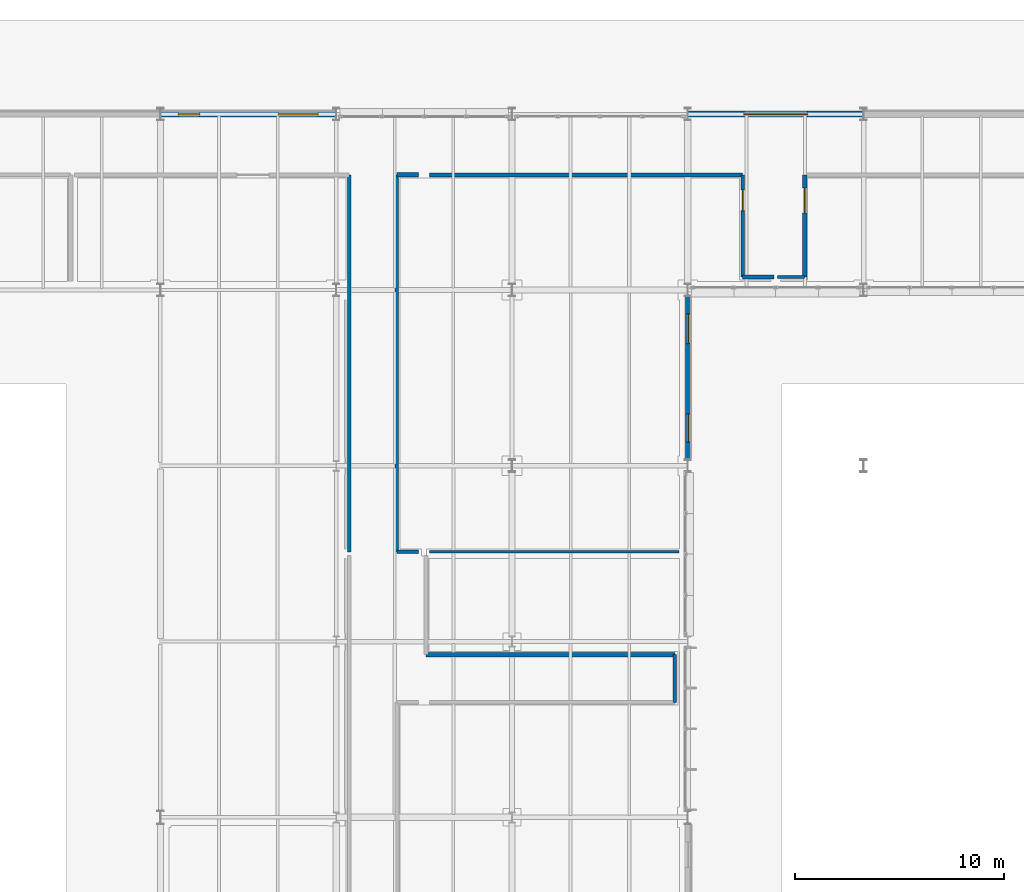
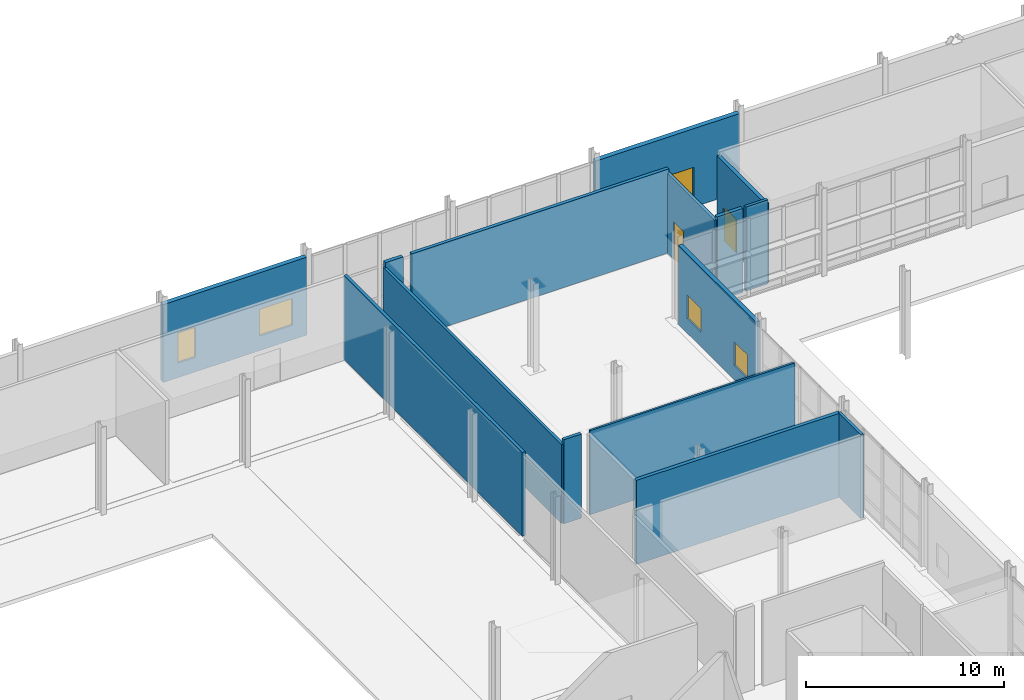
# One storey, part 91 of 124: 15 walls, 4 windows, 3 doors, 7 openings.
"""IFC4 building model written with IfcOpenShell, lengths in metres."""

from ifc_helpers import new_model, si_unit, direction, frame, frame_2d, origin, place, context, subcontext, project, spatial, rectangle, extrude, material, layer, layer_set, type_object, element, fill, save


model = new_model("IFC4")

# Units and contexts
model_context = context("Model", 3, precision=1e-05, world=origin(), true_north=direction((0.0, 1.0)))
body_context = subcontext(model_context, "Body", "Model", "MODEL_VIEW")
ifc_project = project(units=[si_unit("LENGTHUNIT", "METRE"), si_unit("AREAUNIT", "SQUARE_METRE"), si_unit("VOLUMEUNIT", "CUBIC_METRE"), si_unit("PLANEANGLEUNIT", "RADIAN"), si_unit("MASSUNIT", "GRAM", prefix="KILO")], contexts=[model_context])

# Site, building, storey
site_placement = place(None, origin())
site = spatial("IfcSite", under=ifc_project, at=site_placement, CompositionType="ELEMENT")
building_placement = place(site_placement, origin())
building = spatial("IfcBuilding", under=site, at=building_placement, Name="Mersafa Astral City Hall", CompositionType="ELEMENT")
storey_placement = place(building_placement, origin())
storey = spatial("IfcBuildingStorey", under=building, at=storey_placement, Name="L00", CompositionType="ELEMENT", Elevation=0.0)

# Wall, openings, windows
ifc_material_1 = material(Name="Precast concrete C40/50 insulated terracotta spandrel", Category="masonry")
ifc_layer_1 = layer(ifc_material_1, 0.235107421875, Name="Precast concrete C40/50 insulated terracotta spandrel")
ifc_layer_set_1 = layer_set([ifc_layer_1], Name="Precast concrete C40/50 insulated terracotta spandrel — ENV-WAL-EXT-235")
wall_type_1 = type_object("IfcWallType", Name="ENV-WAL-EXT-235", PredefinedType="STANDARD", material=ifc_layer_set_1)
wall_1_placement = place(storey_placement, frame((117.60009765625, 109.49609375, 0.0), z_axis=(0.0, 0.0, 1.0), x_axis=(0.0, 1.0, 0.0)))
wall_1 = element("IfcWall", 1, at=wall_1_placement, inside=storey, type_object=wall_type_1, Name="L00 Limestone-clad exterior wall 23", PredefinedType="STANDARD", context=body_context, shape_type="SweptSolid", body=[
    extrude(rectangle(XDim=7.807861328125, YDim=0.235107421875, at=frame_2d((3.90380859375, 0.0))), origin(), (0.0, 0.0, 1.0), 4.886962890625),
])
opening_1_placement = place(wall_1_placement, frame((0.85009765625, 0.0, 0.89990234375)))
opening_1 = element("IfcOpeningElement", 2, at=opening_1_placement, cuts=wall_1, Name="Opening W-24", PredefinedType="OPENING", context=body_context, shape_type="SweptSolid", body=[
    extrude(rectangle(XDim=1.320068359375, YDim=1.449951171875, at=frame_2d((0.66015625, 0.72509765625))), frame((0.0, 0.12744140625, 0.0), z_axis=(0.0, -1.0, 0.0), x_axis=(1.0, 0.0, 0.0)), (0.0, 0.0, 1.0), 0.255126953125),
])
opening_2_placement = place(wall_1_placement, frame((5.5380859375, 0.0, 0.89990234375)))
opening_2 = element("IfcOpeningElement", 3, at=opening_2_placement, cuts=wall_1, Name="Opening W-25", PredefinedType="OPENING", context=body_context, shape_type="SweptSolid", body=[
    extrude(rectangle(XDim=1.419921875, YDim=1.449951171875, at=frame_2d((0.7099609375, 0.72509765625))), frame((0.0, 0.12744140625, 0.0), z_axis=(0.0, -1.0, 0.0), x_axis=(1.0, 0.0, 0.0)), (0.0, 0.0, 1.0), 0.255126953125),
])
ifc_material_2 = material(Name="Solar control low-e double glazing in bronze frame", Category="glass")
window_type_1 = type_object("IfcWindowType", Name="ENV-WIN-W-24", PartitioningType="SINGLE_PANEL", PredefinedType="WINDOW", material=ifc_material_2)
window_1_placement = place(opening_1_placement, origin())
window_1 = element("IfcWindow", 4, at=window_1_placement, inside=storey, type_object=window_type_1, Name="L00 Solar punched window 23-L", OverallHeight=1.449951171875, OverallWidth=1.320068359375, PartitioningType="SINGLE_PANEL", PredefinedType="WINDOW", context=body_context, shape_type="SweptSolid", body=[
    extrude(rectangle(XDim=1.320068359375, YDim=1.449951171875, at=frame_2d((0.66015625, 0.72509765625))), frame((0.0, 0.030029296875, 0.0), z_axis=(0.0, -1.0, 0.0), x_axis=(1.0, 0.0, 0.0)), (0.0, 0.0, 1.0), 0.06005859375),
])
fill(opening_1, window_1)
window_type_2 = type_object("IfcWindowType", Name="ENV-WIN-W-25", PartitioningType="SINGLE_PANEL", PredefinedType="WINDOW", material=ifc_material_2)
window_2_placement = place(opening_2_placement, origin())
window_2 = element("IfcWindow", 5, at=window_2_placement, inside=storey, type_object=window_type_2, Name="L00 Solar punched window 23-R", OverallHeight=1.449951171875, OverallWidth=1.419921875, PartitioningType="SINGLE_PANEL", PredefinedType="WINDOW", context=body_context, shape_type="SweptSolid", body=[
    extrude(rectangle(XDim=1.419921875, YDim=1.449951171875, at=frame_2d((0.7099609375, 0.72509765625))), frame((0.0, 0.030029296875, 0.0), z_axis=(0.0, -1.0, 0.0), x_axis=(1.0, 0.0, 0.0)), (0.0, 0.0, 1.0), 0.06005859375),
])
fill(opening_2, window_2)

ifc_material_3 = material(Name="Precast concrete C40/50 insulated limestone wall", Category="masonry")
ifc_layer_2 = layer(ifc_material_3, 0.264892578125, Name="Precast concrete C40/50 insulated limestone wall")
ifc_layer_set_2 = layer_set([ifc_layer_2], Name="Precast concrete C40/50 insulated limestone wall — ENV-WAL-EXT-265")
wall_type_2 = type_object("IfcWallType", Name="ENV-WAL-EXT-265", PredefinedType="STANDARD", material=ifc_layer_set_2)
wall_2_placement = place(storey_placement, frame((100.7919921875, 126.0, 0.0), z_axis=(0.0, 0.0, 1.0), x_axis=(-1.0, 0.0, 0.0)))
wall_2 = element("IfcWall", 6, at=wall_2_placement, inside=storey, type_object=wall_type_2, Name="L00 Limestone-clad exterior wall 45", PredefinedType="STANDARD", context=body_context, shape_type="SweptSolid", body=[
    extrude(rectangle(XDim=8.384033203125, YDim=0.264892578125, at=frame_2d((4.19189453125, 0.0))), origin(), (0.0, 0.0, 1.0), 4.797119140625),
])
opening_3_placement = place(wall_2_placement, frame((0.85009765625, 0.0, 0.89990234375)))
opening_3 = element("IfcOpeningElement", 7, at=opening_3_placement, cuts=wall_2, Name="Opening W-40", PredefinedType="OPENING", context=body_context, shape_type="SweptSolid", body=[
    extrude(rectangle(XDim=1.919921875, YDim=1.64990234375, at=frame_2d((0.9599609375, 0.824951171875))), frame((0.0, 0.142333984375, 0.0), z_axis=(0.0, -1.0, 0.0), x_axis=(1.0, 0.0, 0.0)), (0.0, 0.0, 1.0), 0.284912109375),
])
opening_4_placement = place(wall_2_placement, frame((6.513916015625, 0.0, 0.89990234375)))
opening_4 = element("IfcOpeningElement", 8, at=opening_4_placement, cuts=wall_2, Name="Opening W-41", PredefinedType="OPENING", context=body_context, shape_type="SweptSolid", body=[
    extrude(rectangle(XDim=1.02001953125, YDim=1.85009765625, at=frame_2d((0.510009765625, 0.925048828125))), frame((0.0, 0.142333984375, 0.0), z_axis=(0.0, -1.0, 0.0), x_axis=(1.0, 0.0, 0.0)), (0.0, 0.0, 1.0), 0.284912109375),
])
window_type_3 = type_object("IfcWindowType", Name="ENV-WIN-W-40", PartitioningType="SINGLE_PANEL", PredefinedType="WINDOW", material=ifc_material_2)
window_3_placement = place(opening_3_placement, origin())
window_3 = element("IfcWindow", 9, at=window_3_placement, inside=storey, type_object=window_type_3, Name="L00 Solar punched window 45-L", OverallHeight=1.64990234375, OverallWidth=1.919921875, PartitioningType="SINGLE_PANEL", PredefinedType="WINDOW", context=body_context, shape_type="SweptSolid", body=[
    extrude(rectangle(XDim=1.919921875, YDim=1.64990234375, at=frame_2d((0.9599609375, 0.824951171875))), frame((0.0, 0.030029296875, 0.0), z_axis=(0.0, -1.0, 0.0), x_axis=(1.0, 0.0, 0.0)), (0.0, 0.0, 1.0), 0.06005859375),
])
fill(opening_3, window_3)
window_type_4 = type_object("IfcWindowType", Name="ENV-WIN-W-41", PartitioningType="SINGLE_PANEL", PredefinedType="WINDOW", material=ifc_material_2)
window_4_placement = place(opening_4_placement, origin())
window_4 = element("IfcWindow", 10, at=window_4_placement, inside=storey, type_object=window_type_4, Name="L00 Solar punched window 45-R", OverallHeight=1.85009765625, OverallWidth=1.02001953125, PartitioningType="SINGLE_PANEL", PredefinedType="WINDOW", context=body_context, shape_type="SweptSolid", body=[
    extrude(rectangle(XDim=1.02001953125, YDim=1.85009765625, at=frame_2d((0.510009765625, 0.925048828125))), frame((0.0, 0.030029296875, 0.0), z_axis=(0.0, -1.0, 0.0), x_axis=(1.0, 0.0, 0.0)), (0.0, 0.0, 1.0), 0.06005859375),
])
fill(opening_4, window_4)

# Wall, opening, door
ifc_layer_3 = layer(ifc_material_3, 0.280029296875, Name="Precast concrete C40/50 insulated limestone wall")
ifc_layer_set_3 = layer_set([ifc_layer_3], Name="Precast concrete C40/50 insulated limestone wall — ENV-WAL-EXT-280")
wall_type_3 = type_object("IfcWallType", Name="ENV-WAL-EXT-280", PredefinedType="STANDARD", material=ifc_layer_set_3)
wall_3_placement = place(storey_placement, frame((117.60791015625, 126.0, 0.0), z_axis=(0.0, 0.0, 1.0), x_axis=(1.0, 0.0, 0.0)))
wall_3 = element("IfcWall", 11, at=wall_3_placement, inside=storey, type_object=wall_type_3, Name="L00 Civic Entrance & Exit Portal Wall E1", PredefinedType="STANDARD", context=body_context, shape_type="SweptSolid", body=[
    extrude(rectangle(XDim=8.384033203125, YDim=0.280029296875, at=frame_2d((4.19189453125, 0.0))), origin(), (0.0, 0.0, 1.0), 4.826904296875),
])
opening_5_placement = place(wall_3_placement, frame((2.6669921875, 0.0, 0.0)))
opening_5 = element("IfcOpeningElement", 12, at=opening_5_placement, cuts=wall_3, Name="Opening ED-2", PredefinedType="OPENING", context=body_context, shape_type="SweptSolid", body=[
    extrude(rectangle(XDim=3.050048828125, YDim=2.449951171875, at=frame_2d((1.52490234375, 1.22509765625))), frame((0.0, 0.14990234375, 0.0), z_axis=(0.0, -1.0, 0.0), x_axis=(1.0, 0.0, 0.0)), (0.0, 0.0, 1.0), 0.300048828125),
])
ifc_material_4 = material(Name="Anodised bronze glazed exit door pair", Category="metal")
door_type_1 = type_object("IfcDoorType", Name="ENV-DR-EXIT-2750", OperationType="NOTDEFINED", PredefinedType="DOOR", material=ifc_material_4)
door_1_placement = place(opening_5_placement, origin())
door_1 = element("IfcDoor", 13, at=door_1_placement, inside=storey, type_object=door_type_1, Name="Ground Final Exit Door E1", OperationType="DOUBLE_DOOR_SINGLE_SWING", OverallHeight=2.449951171875, OverallWidth=3.050048828125, PredefinedType="DOOR", context=body_context, shape_type="SweptSolid", body=[
    extrude(rectangle(XDim=3.050048828125, YDim=2.449951171875, at=frame_2d((1.52490234375, 1.22509765625))), frame((0.0, 0.02490234375, 0.0), z_axis=(0.0, -1.0, 0.0), x_axis=(1.0, 0.0, 0.0)), (0.0, 0.0, 1.0), 0.050048828125),
])
fill(opening_5, door_1)

# Wall
ifc_material_5 = material(Name="Acoustic steel-stud gypsum partition", Category="steel")
ifc_layer_4 = layer(ifc_material_5, 0.1201171875, Name="Acoustic steel-stud gypsum partition")
ifc_layer_set_4 = layer_set([ifc_layer_4], Name="Acoustic steel-stud gypsum partition — INT-WAL-PART-EI30-120")
wall_type_4 = type_object("IfcWallType", Name="INT-WAL-PART-EI30-120", PredefinedType="STANDARD", material=ifc_layer_set_4)
wall_4_placement = place(storey_placement, frame((117.179931640625, 105.090087890625, -0.00390625), z_axis=(0.0, 0.0, 1.0), x_axis=(-1.0, 0.0, 0.0)))
element("IfcWall", 14, at=wall_4_placement, inside=storey, type_object=wall_type_4, Name="L00 Interior partition wall 125", PredefinedType="STANDARD", context=body_context, shape_type="SweptSolid", body=[
    extrude(rectangle(XDim=11.919921875, YDim=0.1201171875, at=frame_2d((5.9599609375, 0.0))), origin(), (0.0, 0.0, 1.0), 5.178955078125),
])

# Wall, opening, door
ifc_material_6 = material(Name="Fire-rated gypsum stud partition", Category="gypsum")
ifc_layer_5 = layer(ifc_material_6, 0.1650390625, Name="Fire-rated gypsum stud partition")
ifc_layer_set_5 = layer_set([ifc_layer_5], Name="Fire-rated gypsum stud partition — INT-WAL-PART-EI60-165")
wall_type_5 = type_object("IfcWallType", Name="INT-WAL-PART-EI60-165", PredefinedType="STANDARD", material=ifc_layer_set_5)
wall_5_placement = place(storey_placement, frame((120.219970703125, 123.10009765625, -0.00390625), z_axis=(0.0, 0.0, 1.0), x_axis=(0.0, -1.0, 0.0)))
wall_5 = element("IfcWall", 15, at=wall_5_placement, inside=storey, type_object=wall_type_5, Name="L00 Interior partition wall 123", PredefinedType="STANDARD", context=body_context, shape_type="SweptSolid", body=[
    extrude(rectangle(XDim=4.880126953125, YDim=0.1650390625, at=frame_2d((2.43994140625, 0.0))), origin(), (0.0, 0.0, 1.0), 4.9208984375),
])
opening_6_placement = place(wall_5_placement, frame((0.72998046875, 0.0, 0.0)))
opening_6 = element("IfcOpeningElement", 16, at=opening_6_placement, cuts=wall_5, Name="Opening D-29", PredefinedType="OPENING", context=body_context, shape_type="SweptSolid", body=[
    extrude(rectangle(XDim=0.97998046875, YDim=2.300048828125, at=frame_2d((0.489990234375, 1.14990234375))), frame((0.0, 0.092529296875, 0.0), z_axis=(0.0, -1.0, 0.0), x_axis=(1.0, 0.0, 0.0)), (0.0, 0.0, 1.0), 0.18505859375),
])
ifc_material_7 = material(Name="Cedar veneered acoustic fire-rated timber door", Category="wood")
door_type_2 = type_object("IfcDoorType", Name="INT-DR-RM-D-29", OperationType="NOTDEFINED", PredefinedType="DOOR", material=ifc_material_7)
door_2_placement = place(opening_6_placement, origin())
door_2 = element("IfcDoor", 17, at=door_2_placement, inside=storey, type_object=door_type_2, Name="L00 Municipal Licensing Counter Hall L00-03 Entrance Door", OperationType="SINGLE_SWING_LEFT", OverallHeight=2.300048828125, OverallWidth=0.97998046875, PredefinedType="DOOR", context=body_context, shape_type="SweptSolid", body=[
    extrude(rectangle(XDim=0.97998046875, YDim=2.300048828125, at=frame_2d((0.489990234375, 1.14990234375))), frame((0.0, 0.02490234375, 0.0), z_axis=(0.0, -1.0, 0.0), x_axis=(1.0, 0.0, 0.0)), (0.0, 0.0, 1.0), 0.050048828125),
])
fill(opening_6, door_2)

# Walls
wall_6_placement = place(storey_placement, frame((103.699951171875, 105.090087890625, -0.00390625), z_axis=(0.0, 0.0, 1.0), x_axis=(0.0, 1.0, 0.0)))
element("IfcWall", 18, at=wall_6_placement, inside=storey, type_object=wall_type_5, Name="L00 Interior partition wall 127", PredefinedType="STANDARD", context=body_context, shape_type="SweptSolid", body=[
    extrude(rectangle(XDim=18.010009765625, YDim=0.1650390625, at=frame_2d((9.0048828125, 0.0))), origin(), (0.0, 0.0, 1.0), 4.86083984375),
])
wall_7_placement = place(storey_placement, frame((116.97998046875, 97.89990234375, -0.00390625), z_axis=(0.0, 0.0, 1.0), x_axis=(0.0, 1.0, 0.0)))
element("IfcWall", 19, at=wall_7_placement, inside=storey, type_object=wall_type_5, Name="L00 Interior partition wall 131", PredefinedType="STANDARD", context=body_context, shape_type="SweptSolid", body=[
    extrude(rectangle(XDim=2.280029296875, YDim=0.1650390625, at=frame_2d((1.14013671875, 0.0))), origin(), (0.0, 0.0, 1.0), 5.178955078125),
])
wall_8_placement = place(storey_placement, frame((121.889892578125, 118.219970703125, -0.00390625), z_axis=(0.0, 0.0, 1.0), x_axis=(1.0, 0.0, 0.0)))
element("IfcWall", 20, at=wall_8_placement, inside=storey, type_object=wall_type_5, Name="L00 Interior partition wall 187", PredefinedType="STANDARD", context=body_context, shape_type="SweptSolid", body=[
    extrude(rectangle(XDim=1.2900390625, YDim=0.1650390625, at=frame_2d((0.64501953125, 0.0))), origin(), (0.0, 0.0, 1.0), 5.178955078125),
])
ifc_material_8 = material(Name="Acoustic twin-stud gypsum partition", Category="gypsum")
ifc_layer_6 = layer(ifc_material_8, 0.179931640625, Name="Acoustic twin-stud gypsum partition")
ifc_layer_set_6 = layer_set([ifc_layer_6], Name="Acoustic twin-stud gypsum partition — INT-WAL-PART-EI60-180")
wall_type_6 = type_object("IfcWallType", Name="INT-WAL-PART-EI60-180", PredefinedType="STANDARD", material=ifc_layer_set_6)
wall_9_placement = place(storey_placement, frame((104.739990234375, 105.090087890625, -0.00390625), z_axis=(0.0, 0.0, 1.0), x_axis=(-1.0, 0.0, 0.0)))
element("IfcWall", 21, at=wall_9_placement, inside=storey, type_object=wall_type_6, Name="L00 Interior partition wall 126", PredefinedType="STANDARD", context=body_context, shape_type="SweptSolid", body=[
    extrude(rectangle(XDim=1.0400390625, YDim=0.179931640625, at=frame_2d((0.52001953125, 0.0))), origin(), (0.0, 0.0, 1.0), 5.178955078125),
])
wall_10_placement = place(storey_placement, frame((101.419921875, 123.10009765625, -0.00390625), z_axis=(0.0, 0.0, 1.0), x_axis=(0.0, -1.0, 0.0)))
element("IfcWall", 22, at=wall_10_placement, inside=storey, type_object=wall_type_6, Name="L00 Interior partition wall 198", PredefinedType="STANDARD", context=body_context, shape_type="SweptSolid", body=[
    extrude(rectangle(XDim=18.010009765625, YDim=0.179931640625, at=frame_2d((9.0048828125, 0.0))), origin(), (0.0, 0.0, 1.0), 5.178955078125),
])
ifc_layer_7 = layer(ifc_material_8, 0.195068359375, Name="Acoustic twin-stud gypsum partition")
ifc_layer_set_7 = layer_set([ifc_layer_7], Name="Acoustic twin-stud gypsum partition — INT-WAL-PART-EI60-195")
wall_type_7 = type_object("IfcWallType", Name="INT-WAL-PART-EI60-195", PredefinedType="STANDARD", material=ifc_layer_set_7)
wall_11_placement = place(storey_placement, frame((105.260009765625, 123.10009765625, -0.00390625), z_axis=(0.0, 0.0, 1.0), x_axis=(1.0, 0.0, 0.0)))
element("IfcWall", 23, at=wall_11_placement, inside=storey, type_object=wall_type_7, Name="L00 Interior partition wall 129", PredefinedType="STANDARD", context=body_context, shape_type="SweptSolid", body=[
    extrude(rectangle(XDim=14.9599609375, YDim=0.195068359375, at=frame_2d((7.47998046875, 0.0))), origin(), (0.0, 0.0, 1.0), 5.178955078125),
])
ifc_material_9 = material(Name="Autoclaved aerated concrete blockwork plastered", Category="masonry")
ifc_layer_8 = layer(ifc_material_9, 0.2099609375, Name="Autoclaved aerated concrete blockwork plastered")
ifc_layer_set_8 = layer_set([ifc_layer_8], Name="Autoclaved aerated concrete blockwork plastered — INT-WAL-PART-EI60-210")
wall_type_8 = type_object("IfcWallType", Name="INT-WAL-PART-EI60-210", PredefinedType="STANDARD", material=ifc_layer_set_8)
wall_12_placement = place(storey_placement, frame((120.219970703125, 118.219970703125, -0.00390625), z_axis=(0.0, 0.0, 1.0), x_axis=(1.0, 0.0, 0.0)))
element("IfcWall", 24, at=wall_12_placement, inside=storey, type_object=wall_type_8, Name="L00 Interior partition wall 124", PredefinedType="STANDARD", context=body_context, shape_type="SweptSolid", body=[
    extrude(rectangle(XDim=1.489990234375, YDim=0.2099609375, at=frame_2d((0.7451171875, 0.0))), origin(), (0.0, 0.0, 1.0), 5.178955078125),
])
wall_13_placement = place(storey_placement, frame((103.699951171875, 123.10009765625, -0.00390625), z_axis=(0.0, 0.0, 1.0), x_axis=(1.0, 0.0, 0.0)))
element("IfcWall", 25, at=wall_13_placement, inside=storey, type_object=wall_type_8, Name="L00 Interior partition wall 128", PredefinedType="STANDARD", context=body_context, shape_type="SweptSolid", body=[
    extrude(rectangle(XDim=1.0400390625, YDim=0.2099609375, at=frame_2d((0.52001953125, 0.0))), origin(), (0.0, 0.0, 1.0), 5.178955078125),
])
wall_14_placement = place(storey_placement, frame((116.97998046875, 100.179931640625, -0.00390625), z_axis=(0.0, 0.0, 1.0), x_axis=(-1.0, 0.0, 0.0)))
element("IfcWall", 26, at=wall_14_placement, inside=storey, type_object=wall_type_8, Name="L00 Interior partition wall 132", PredefinedType="STANDARD", context=body_context, shape_type="SweptSolid", body=[
    extrude(rectangle(XDim=11.889892578125, YDim=0.2099609375, at=frame_2d((5.94482421875, 0.0))), origin(), (0.0, 0.0, 1.0), 5.178955078125),
])

# Wall, opening, door
wall_15_placement = place(storey_placement, frame((123.179931640625, 118.219970703125, -0.00390625), z_axis=(0.0, 0.0, 1.0), x_axis=(0.0, 1.0, 0.0)))
wall_15 = element("IfcWall", 27, at=wall_15_placement, inside=storey, type_object=wall_type_8, Name="L00 Interior partition wall 184", PredefinedType="STANDARD", context=body_context, shape_type="SweptSolid", body=[
    extrude(rectangle(XDim=4.880126953125, YDim=0.2099609375, at=frame_2d((2.43994140625, 0.0))), origin(), (0.0, 0.0, 1.0), 4.9208984375),
])
opening_7_placement = place(wall_15_placement, frame((3.070068359375, 0.0, 0.0)))
opening_7 = element("IfcOpeningElement", 28, at=opening_7_placement, cuts=wall_15, Name="Opening D-05", PredefinedType="OPENING", context=body_context, shape_type="SweptSolid", body=[
    extrude(rectangle(XDim=1.179931640625, YDim=2.06005859375, at=frame_2d((0.58984375, 1.030029296875))), frame((0.0, 0.114990234375, 0.0), z_axis=(0.0, -1.0, 0.0), x_axis=(1.0, 0.0, 0.0)), (0.0, 0.0, 1.0), 0.22998046875),
])
door_type_3 = type_object("IfcDoorType", Name="INT-DR-RM-D-05", OperationType="NOTDEFINED", PredefinedType="DOOR", material=ifc_material_7)
door_3_placement = place(opening_7_placement, origin())
door_3 = element("IfcDoor", 29, at=door_3_placement, inside=storey, type_object=door_type_3, Name="L00 Civic Exhibition Gallery L00-15 Entrance Door", OperationType="SINGLE_SWING_LEFT", OverallHeight=2.06005859375, OverallWidth=1.179931640625, PredefinedType="DOOR", context=body_context, shape_type="SweptSolid", body=[
    extrude(rectangle(XDim=1.179931640625, YDim=2.06005859375, at=frame_2d((0.58984375, 1.030029296875))), frame((0.0, 0.02490234375, 0.0), z_axis=(0.0, -1.0, 0.0), x_axis=(1.0, 0.0, 0.0)), (0.0, 0.0, 1.0), 0.050048828125),
])
fill(opening_7, door_3)

save(model, "model.ifc")
